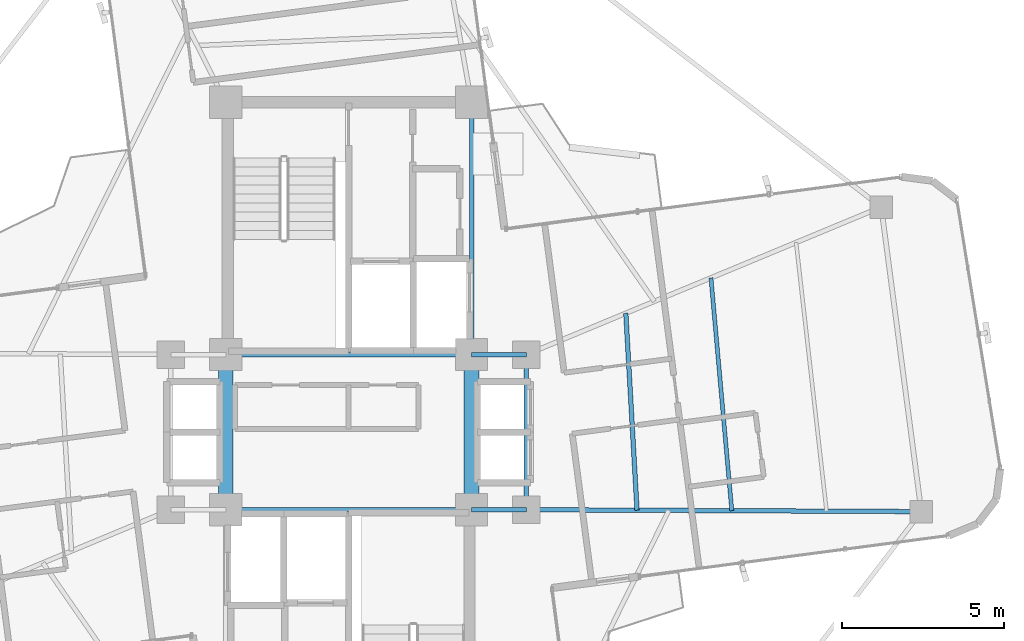
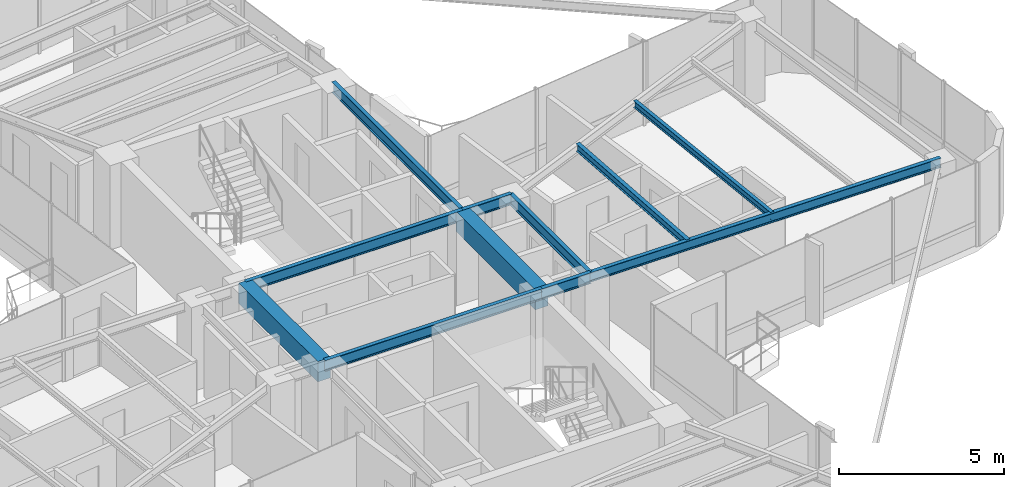
# One storey, part 10 of 22: 11 beams.
"""IFC4 building model written with IfcOpenShell, lengths in metres."""

from ifc_helpers import new_model, si_unit, direction, frame, origin, origin_2d, place, context, subcontext, project, spatial, rectangle, i_section, extrude, source, transform, mapped, material, material_profile, profile_set, type_object, element, save


model = new_model("IFC4")

# Units and contexts
model_context = context("Model", 3, precision=1e-05, world=origin(), true_north=direction((0.0, 1.0)))
body_context = subcontext(model_context, "Body", "Model", "MODEL_VIEW")
ifc_project = project(units=[si_unit("LENGTHUNIT", "METRE"), si_unit("AREAUNIT", "SQUARE_METRE"), si_unit("VOLUMEUNIT", "CUBIC_METRE"), si_unit("PLANEANGLEUNIT", "RADIAN"), si_unit("MASSUNIT", "GRAM", prefix="KILO")], contexts=[model_context])

# Site, building, storey
site_placement = place(None, origin())
site = spatial("IfcSite", under=ifc_project, at=site_placement, CompositionType="ELEMENT")
building_placement = place(site_placement, origin())
building = spatial("IfcBuilding", under=site, at=building_placement, Name="Sahyath Konkavel Grand Hotel", CompositionType="ELEMENT")
storey_placement = place(building_placement, frame((0.0, 0.0, 257.89990234375)))
storey = spatial("IfcBuildingStorey", under=building, at=storey_placement, Name="L72", CompositionType="ELEMENT", Elevation=257.89990234375)

# Beams
ifc_material_1 = material(Name="Steel E350", Category="steel")
ifc_material_profile_1 = material_profile(ifc_material_1, i_section(OverallWidth=0.139892578125, OverallDepth=0.39990234375, WebThickness=0.0087890625, FlangeThickness=0.01611328125, FilletRadius=0.013916015625, at=origin_2d()), Name="ISMB 400")
ifc_profile_set_1 = profile_set([ifc_material_profile_1], Name="Steel E350")
beam_type_1 = type_object("IfcBeamType", Name="BM-ISMB400", PredefinedType="BEAM", material=ifc_profile_set_1)
shared_shape_1 = source(origin(), body_context, "Body", "SweptSolid", [
    extrude(i_section(OverallWidth=0.139892578125, OverallDepth=0.39990234375, WebThickness=0.0087890625, FlangeThickness=0.01611328125, FilletRadius=0.013916015625, at=origin_2d()), origin(), (0.0, 0.0, 1.0), 7.60009765625),
])
for number, where, z_axis, x_axis, name in (
    (1, (-3.800048828125, 2.39990234375, 2.91015625), (1.0, 0.0, 0.0), (0.0, 1.0, 0.0), "str:bm:L72:NC-S"),
    (2, (-3.800048828125, -2.39990234375, 2.91015625), (1.0, 0.0, 0.0), (0.0, 1.0, 0.0), "str:bm:L72:SC-N"),
):
    element("IfcBeam", number, at=place(storey_placement, frame(where, z_axis=z_axis, x_axis=x_axis)), inside=storey, type_object=beam_type_1, Name=name, PredefinedType="BEAM", context=body_context, shape_type="MappedRepresentation", body=[
        mapped(shared_shape_1, transform((0.0, 0.0, 0.0), scale=1.0)),
    ])
shared_shape_2 = source(origin(), body_context, "Body", "SweptSolid", [
    extrude(i_section(OverallWidth=0.139892578125, OverallDepth=0.39990234375, WebThickness=0.0087890625, FlangeThickness=0.01611328125, FilletRadius=0.013916015625, at=origin_2d()), origin(), (0.0, 0.0, 1.0), 7.800048828125),
])
beam_1_placement = place(storey_placement, frame((3.800048828125, 2.39990234375, 2.91015625), z_axis=(0.0, 1.0, 0.0), x_axis=(-1.0, 0.0, 0.0)))
element("IfcBeam", 3, at=beam_1_placement, inside=storey, type_object=beam_type_1, Name="str:bm:L72:NC-E", PredefinedType="BEAM", context=body_context, shape_type="MappedRepresentation", body=[
    mapped(shared_shape_2, transform((0.0, 0.0, 0.0), scale=1.0)),
])
shared_shape_3 = source(origin(), body_context, "Body", "SweptSolid", [
    extrude(i_section(OverallWidth=0.139892578125, OverallDepth=0.39990234375, WebThickness=0.0087890625, FlangeThickness=0.01611328125, FilletRadius=0.013916015625, at=origin_2d()), origin(), (0.0, 0.0, 1.0), 1.699951171875),
])
for number, where, z_axis, x_axis, name in (
    (4, (3.800048828125, 2.39990234375, 2.91015625), (1.0, 0.0, 0.0), (0.0, 1.0, 0.0), "str:bm:L72:HB-NE"),
    (5, (3.800048828125, -2.39990234375, 2.91015625), (1.0, 0.0, 0.0), (0.0, 1.0, 0.0), "str:bm:L72:HB-SE"),
):
    element("IfcBeam", number, at=place(storey_placement, frame(where, z_axis=z_axis, x_axis=x_axis)), inside=storey, type_object=beam_type_1, Name=name, PredefinedType="BEAM", context=body_context, shape_type="MappedRepresentation", body=[
        mapped(shared_shape_3, transform((0.0, 0.0, 0.0), scale=1.0)),
    ])
shared_shape_4 = source(origin(), body_context, "Body", "SweptSolid", [
    extrude(i_section(OverallWidth=0.139892578125, OverallDepth=0.39990234375, WebThickness=0.0087890625, FlangeThickness=0.01611328125, FilletRadius=0.013916015625, at=origin_2d()), origin(), (0.0, 0.0, 1.0), 4.7998046875),
])
beam_2_placement = place(storey_placement, frame((5.5, -2.39990234375, 2.91015625), z_axis=(0.0, 1.0, 0.0), x_axis=(-1.0, 0.0, 0.0)))
element("IfcBeam", 6, at=beam_2_placement, inside=storey, type_object=beam_type_1, Name="str:bm:L72:HB-E", PredefinedType="BEAM", context=body_context, shape_type="MappedRepresentation", body=[
    mapped(shared_shape_4, transform((0.0, 0.0, 0.0), scale=1.0)),
])
ifc_material_2 = material(Name="Concrete C40/50", Category="concrete")
ifc_material_profile_2 = material_profile(ifc_material_2, rectangle(XDim=0.449951171875, YDim=0.75, at=origin_2d()), Name="RC 450x750")
ifc_profile_set_2 = profile_set([ifc_material_profile_2], Name="Concrete C40/50")
beam_type_2 = type_object("IfcBeamType", Name="BM-CB450x750", PredefinedType="LINTEL", material=ifc_profile_set_2)
shared_shape_5 = source(origin(), body_context, "Body", "SweptSolid", [
    extrude(rectangle(XDim=0.449951171875, YDim=0.75, at=origin_2d()), origin(), (0.0, 0.0, 1.0), 4.7998046875),
])
for number, where, z_axis, x_axis, name in (
    (7, (-3.800048828125, -2.39990234375, 2.735107421875), (0.0, 1.0, 0.0), (-1.0, 0.0, 0.0), "L72 Split-Core Coupling Beam West"),
    (8, (3.800048828125, -2.39990234375, 2.735107421875), (0.0, 1.0, 0.0), (-1.0, 0.0, 0.0), "L72 Split-Core Coupling Beam East"),
):
    element("IfcBeam", number, at=place(storey_placement, frame(where, z_axis=z_axis, x_axis=x_axis)), inside=storey, type_object=beam_type_2, Name=name, PredefinedType="LINTEL", context=body_context, shape_type="MappedRepresentation", body=[
        mapped(shared_shape_5, transform((0.0, 0.0, 0.0), scale=1.0)),
    ])
ifc_material_profile_3 = material_profile(ifc_material_1, i_section(OverallWidth=0.139892578125, OverallDepth=0.35009765625, WebThickness=0.008056640625, FlangeThickness=0.01416015625, FilletRadius=0.013916015625, at=origin_2d()), Name="ISMB 350")
ifc_profile_set_3 = profile_set([ifc_material_profile_3], Name="Steel E350")
beam_type_3 = type_object("IfcBeamType", Name="BM-ISMB350", PredefinedType="BEAM", material=ifc_profile_set_3)
shared_shape_6 = source(origin(), body_context, "Body", "SweptSolid", [
    extrude(i_section(OverallWidth=0.139892578125, OverallDepth=0.35009765625, WebThickness=0.008056640625, FlangeThickness=0.01416015625, FilletRadius=0.013916015625, at=origin_2d()), origin(), (0.0, 0.0, 1.0), 12.212646484375),
])
beam_3_placement = place(storey_placement, frame((5.5, -2.39990234375, 2.93505859375), z_axis=(0.999988297706, -0.004837814722, 0.0), x_axis=(0.004837814722, 0.999988297706, 0.0)))
element("IfcBeam", 9, at=beam_3_placement, inside=storey, type_object=beam_type_3, Name="L72 Cruciform Radial Girder EA", PredefinedType="BEAM", context=body_context, shape_type="MappedRepresentation", body=[
    mapped(shared_shape_6, transform((0.0, 0.0, 0.0), scale=1.0)),
])
ifc_material_profile_4 = material_profile(ifc_material_1, i_section(OverallWidth=0.139892578125, OverallDepth=0.27490234375, WebThickness=0.00634765625, FlangeThickness=0.0087890625, FilletRadius=0.012939453125, at=origin_2d()), Name="ISLB 275")
ifc_profile_set_4 = profile_set([ifc_material_profile_4], Name="Steel E350")
beam_type_4 = type_object("IfcBeamType", Name="BM-ISLB275", PredefinedType="BEAM", material=ifc_profile_set_4)
shared_shape_7 = source(origin(), body_context, "Body", "SweptSolid", [
    extrude(i_section(OverallWidth=0.139892578125, OverallDepth=0.27490234375, WebThickness=0.00634765625, FlangeThickness=0.0087890625, FilletRadius=0.012939453125, at=origin_2d()), origin(), (0.0, 0.0, 1.0), 6.10302734375),
])
beam_4_placement = place(storey_placement, frame((8.91943359375, -2.41650390625, 2.97265625), z_axis=(-0.056883465537, 0.99838082481, 0.0), x_axis=(-0.99838082481, -0.056883465537, 0.0)))
element("IfcBeam", 10, at=beam_4_placement, inside=storey, type_object=beam_type_4, Name="L72 Secondary Floor Beam E-1", PredefinedType="BEAM", context=body_context, shape_type="MappedRepresentation", body=[
    mapped(shared_shape_7, transform((0.0, 0.0, 0.0), scale=1.0)),
])
ifc_material_profile_5 = material_profile(ifc_material_1, i_section(OverallWidth=0.125, OverallDepth=0.25, WebThickness=0.0068359375, FlangeThickness=0.012451171875, FilletRadius=0.012939453125, at=origin_2d()), Name="ISMB 250")
ifc_profile_set_5 = profile_set([ifc_material_profile_5], Name="Steel E350")
beam_type_5 = type_object("IfcBeamType", Name="BM-ISMB250", PredefinedType="BEAM", material=ifc_profile_set_5)
shared_shape_8 = source(origin(), body_context, "Body", "SweptSolid", [
    extrude(i_section(OverallWidth=0.125, OverallDepth=0.25, WebThickness=0.0068359375, FlangeThickness=0.012451171875, FilletRadius=0.012939453125, at=origin_2d()), origin(), (0.0, 0.0, 1.0), 7.23046875),
])
beam_5_placement = place(storey_placement, frame((11.8505859375, -2.4306640625, 2.985107421875), z_axis=(-0.089174799421, 0.996015991412, 0.0), x_axis=(-0.996015991412, -0.089174799421, 0.0)))
element("IfcBeam", 11, at=beam_5_placement, inside=storey, type_object=beam_type_5, Name="L72 Secondary Floor Beam E-2", PredefinedType="BEAM", context=body_context, shape_type="MappedRepresentation", body=[
    mapped(shared_shape_8, transform((0.0, 0.0, 0.0), scale=1.0)),
])

save(model, "model.ifc")
